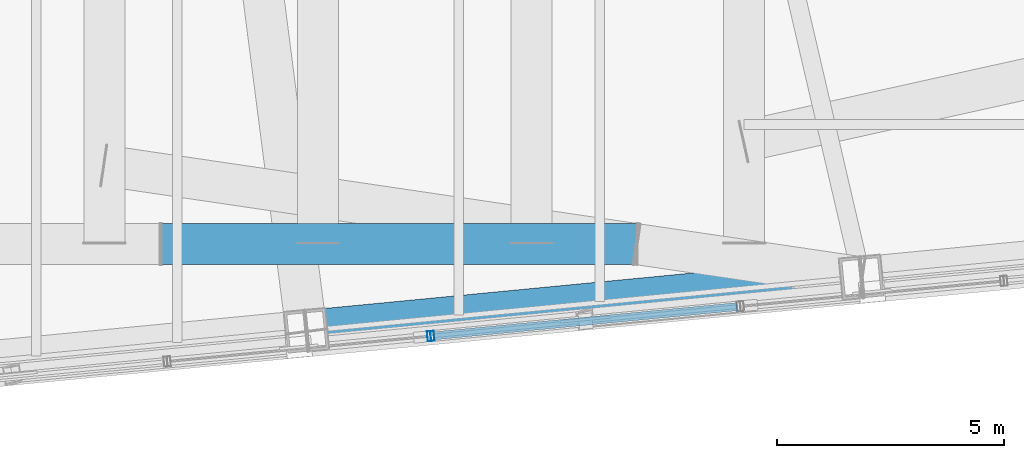
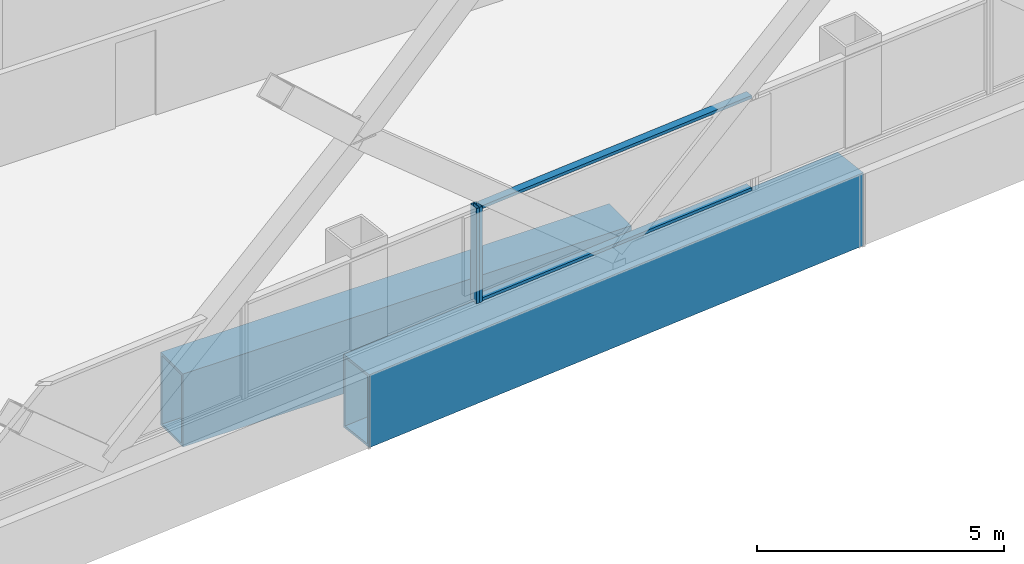
# One storey, part 8 of 42: 4 members, 2 beams, 2 elements without a shape of their own.
"""IFC4 building model written with IfcOpenShell, lengths in metres."""

import ifcopenshell
import ifcopenshell.guid

model = None  # the IFC model being written
_history = None  # IfcOwnerHistory: only IFC2X3 demands one
_inside = {}  # id of a spatial element -> (the spatial element, [elements in it])
_under = {}  # id of a project, library or spatial element -> (it, [spatial elements below it])
_declared = {}  # id of a project -> (the project, [libraries it declares])
_typed = {}  # id of a type object -> (the type object, [elements of that type])
_made_of = {}  # id of a material, layer set ... -> (it, [elements and type objects made of it])


def new_model(schema):
    """Start an empty IFC model of exactly this schema.

    Asked for "IFC4X3", IfcOpenShell would pick the latest addendum, in which some entities
    have other attributes; the version numbers below select the first issue.
    IFC2X3 requires an IfcOwnerHistory on every rooted entity: one is made here for all.
    """
    global model, _history
    if schema == "IFC4X3":
        model = ifcopenshell.file(schema_version=(4, 3, 0, 0))
    else:
        model = ifcopenshell.file(schema=schema)
    _inside.clear()
    _under.clear()
    _declared.clear()
    _typed.clear()
    _made_of.clear()
    _history = None
    if model.schema == "IFC2X3":
        org = make("IfcOrganization", Name="unknown")
        user = make(
            "IfcPersonAndOrganization",
            ThePerson=make("IfcPerson", FamilyName="unknown"),
            TheOrganization=org,
        )
        app = make(
            "IfcApplication",
            ApplicationDeveloper=org,
            Version="unknown",
            ApplicationFullName="unknown",
            ApplicationIdentifier="unknown",
        )
        _history = make(
            "IfcOwnerHistory",
            OwningUser=user,
            OwningApplication=app,
            ChangeAction="ADDED",
            CreationDate=0,
        )
    return model


def make(cls, **values):
    """One entity of the class cls with the attributes given. An attribute that is None is left unset."""
    return model.create_entity(
        cls, **{name: value for name, value in values.items() if value is not None}
    )


def rooted(cls, **values):
    """An entity with a GlobalId (a new one), such as an element, a storey or a relation."""
    return make(cls, GlobalId=ifcopenshell.guid.new(), OwnerHistory=_history, **values)


def si_unit(unit_type, name, prefix=None):
    """IfcSIUnit, for example si_unit("LENGTHUNIT", "METRE", prefix="MILLI")."""
    return make("IfcSIUnit", UnitType=unit_type, Prefix=prefix, Name=name)


def assignment(units):
    """IfcUnitAssignment: the units of a project."""
    return None if units is None else make("IfcUnitAssignment", Units=units)


def point(xyz):
    """IfcCartesianPoint."""
    return None if xyz is None else make("IfcCartesianPoint", Coordinates=xyz)


def direction(xyz):
    """IfcDirection."""
    return None if xyz is None else make("IfcDirection", DirectionRatios=xyz)


def frame(location, z_axis=None, x_axis=None):
    """IfcAxis2Placement3D, a coordinate frame: its origin and axes. An axis left out is left unset."""
    return make(
        "IfcAxis2Placement3D",
        Location=point(location),
        Axis=direction(z_axis),
        RefDirection=direction(x_axis),
    )


def frame_2d(location, x_axis=None):
    """IfcAxis2Placement2D, a coordinate frame in the plane: its origin and x axis."""
    return make(
        "IfcAxis2Placement2D", Location=point(location), RefDirection=direction(x_axis)
    )


def origin():
    """The frame at (0, 0, 0) with its axes left unset."""
    return frame((0.0, 0.0, 0.0))


def origin_2d():
    """The frame at (0, 0) in the plane with its x axis left unset."""
    return frame_2d((0.0, 0.0))


def place(relative_to, where):
    """IfcLocalPlacement: puts the frame where relative to a parent placement (None: the world)."""
    return make(
        "IfcLocalPlacement", PlacementRelTo=relative_to, RelativePlacement=where
    )


def context(
    kind, dimensions, precision=None, world=None, true_north=None, identifier=None
):
    """IfcGeometricRepresentationContext, for example the 3D "Model" context."""
    return make(
        "IfcGeometricRepresentationContext",
        ContextIdentifier=identifier,
        ContextType=kind,
        CoordinateSpaceDimension=dimensions,
        Precision=precision,
        WorldCoordinateSystem=world,
        TrueNorth=true_north,
    )


def subcontext(parent, identifier, kind, view, scale=None):
    """IfcGeometricRepresentationSubContext, for example "Body" below "Model"."""
    return make(
        "IfcGeometricRepresentationSubContext",
        ContextIdentifier=identifier,
        ContextType=kind,
        ParentContext=parent,
        TargetScale=scale,
        TargetView=view,
    )


def project(units=None, contexts=None):
    """IfcProject with its units and contexts."""
    return rooted(
        "IfcProject",
        Name="project",
        RepresentationContexts=contexts,
        UnitsInContext=assignment(units),
    )


def spatial(cls, under=None, at=None, **own):
    """A site, building, storey or space (cls), placed at a placement, below another one or the project."""
    s = rooted(cls, ObjectPlacement=at, **own)
    if under is not None:
        _under.setdefault(under.id(), (under, []))[1].append(s)
    return s


def profile(cls, at=None, kind="AREA", **sizes):
    """A parametric profile (cls). Its sizes go by their IFC names, for example OverallWidth=200.0."""
    return make(cls, ProfileType=kind, Position=at, **sizes)


def hollow_rectangle(**sizes):
    """IfcRectangleHollowProfileDef."""
    return profile("IfcRectangleHollowProfileDef", **sizes)


def extrude(swept, where, along, depth):
    """IfcExtrudedAreaSolid: the profile swept, set in the frame where, extruded along a direction by depth."""
    return make(
        "IfcExtrudedAreaSolid",
        SweptArea=swept,
        Position=where,
        ExtrudedDirection=direction(along),
        Depth=depth,
    )


def shape(context_of_items, identifier, shape_type, items):
    """IfcShapeRepresentation: the items that make up one representation, for example the "Body"."""
    return make(
        "IfcShapeRepresentation",
        ContextOfItems=context_of_items,
        RepresentationIdentifier=identifier,
        RepresentationType=shape_type,
        Items=items,
    )


def material(Name=None, Category=None):
    """IfcMaterial."""
    return make("IfcMaterial", Name=Name, Category=Category)


def layer(
    of_material, thickness, ventilated=None, Name=None, Category=None, Priority=None
):
    """IfcMaterialLayer: one layer of a wall or slab, of a material (None: an air gap)."""
    return make(
        "IfcMaterialLayer",
        Material=of_material,
        LayerThickness=thickness,
        IsVentilated=ventilated,
        Name=Name,
        Category=Category,
        Priority=Priority,
    )


def layer_set(layers, Name=None):
    """IfcMaterialLayerSet."""
    return make("IfcMaterialLayerSet", MaterialLayers=layers, LayerSetName=Name)


def material_profile(
    of_material, cross_section, Name=None, Category=None, Priority=None
):
    """IfcMaterialProfile: a cross section and its material."""
    return make(
        "IfcMaterialProfile",
        Name=Name,
        Material=of_material,
        Profile=cross_section,
        Priority=Priority,
        Category=Category,
    )


def profile_set(profiles, Name=None, composite=None):
    """IfcMaterialProfileSet."""
    return make(
        "IfcMaterialProfileSet",
        Name=Name,
        MaterialProfiles=profiles,
        CompositeProfile=composite,
    )


def made_of(thing, what):
    """Note that an element or type object is made of a material, layer set ...; save() writes the relation."""
    if what is not None:
        _made_of.setdefault(what.id(), (what, []))[1].append(thing)
    return thing


def type_object(cls, material=None, **own):
    """A type object (cls), such as IfcWallType, which elements share."""
    return made_of(rooted(cls, **own), material)


def element(
    cls,
    number,
    at=None,
    inside=None,
    cuts=None,
    type_object=None,
    material=None,
    context=None,
    identifier="Body",
    shape_type=None,
    held_by="IfcProductDefinitionShape",
    body=None,
    shapes=None,
    **own,
):
    """One element of the class cls, such as IfcWall. Its Tag is "e" and its number.

    at: its placement. inside: the storey or other place that contains it. cuts: it is an
    opening in that element (IfcRelVoidsElement). A single representation is given by context,
    identifier, shape_type and body (its items); several are given by shapes. held_by: the class
    of the entity that holds the representations. save() writes the other relations.
    """
    e = rooted(cls, Tag="e%d" % number, ObjectPlacement=at, **own)
    if body is not None:
        shapes = [shape(context, identifier, shape_type, body)]
    if shapes is not None:
        e.Representation = make(held_by, Representations=shapes)
    if inside is not None:
        _inside.setdefault(inside.id(), (inside, []))[1].append(e)
    if cuts is not None:
        rooted(
            "IfcRelVoidsElement", RelatingBuildingElement=cuts, RelatedOpeningElement=e
        )
    if type_object is not None:
        _typed.setdefault(type_object.id(), (type_object, []))[1].append(e)
    return made_of(e, material)


def aggregate(whole, parts):
    """IfcRelAggregates: a whole, such as a stair, and the parts it consists of."""
    return rooted("IfcRelAggregates", RelatingObject=whole, RelatedObjects=parts)


def save(model, path):
    """Write the relations noted so far, then the file.

    IfcRelAggregates (storeys below a building ...), IfcRelContainedInSpatialStructure (elements
    in a storey), IfcRelDefinesByType, IfcRelAssociatesMaterial and IfcRelDeclares: one each for
    every whole, place, type object, material and project.
    """
    for whole, parts in _under.values():
        aggregate(whole, parts)
    for where, things in _inside.values():
        rooted(
            "IfcRelContainedInSpatialStructure",
            RelatedElements=things,
            RelatingStructure=where,
        )
    for kind, things in _typed.values():
        rooted("IfcRelDefinesByType", RelatedObjects=things, RelatingType=kind)
    for what, things in _made_of.values():
        rooted("IfcRelAssociatesMaterial", RelatedObjects=things, RelatingMaterial=what)
    for by, libraries in _declared.values():
        rooted("IfcRelDeclares", RelatingContext=by, RelatedDefinitions=libraries)
    model.write(path)


model = new_model("IFC4")

# Units and contexts
model_context = context("Model", 3, precision=1e-05, world=origin(), true_north=direction((0.0, 1.0)))
body_context = subcontext(model_context, "Body", "Model", "MODEL_VIEW")
ifc_project = project(units=[si_unit("LENGTHUNIT", "METRE"), si_unit("AREAUNIT", "SQUARE_METRE"), si_unit("VOLUMEUNIT", "CUBIC_METRE"), si_unit("PLANEANGLEUNIT", "RADIAN"), si_unit("MASSUNIT", "GRAM", prefix="KILO")], contexts=[model_context])

# Site, building, storey
site_placement = place(None, origin())
site = spatial("IfcSite", under=ifc_project, at=site_placement, CompositionType="ELEMENT")
building_placement = place(site_placement, origin())
building = spatial("IfcBuilding", under=site, at=building_placement, Name="Qhalaya Broadcast Tower", CompositionType="ELEMENT")
storey_placement = place(building_placement, frame((0.0, 0.0, 69.449951171875)))
storey = spatial("IfcBuildingStorey", under=building, at=storey_placement, Name="L19", CompositionType="ELEMENT", Elevation=69.449951171875)

# Beams
ifc_material_1 = material(Name="Structural Steel ASTM A572 Grade 50", Category="steel")
ifc_material_profile_1 = material_profile(ifc_material_1, hollow_rectangle(XDim=0.89990234375, YDim=1.800048828125, WallThickness=0.06005859375, at=origin_2d()), Name="BOX 900x1800x60")
ifc_profile_set_1 = profile_set([ifc_material_profile_1], Name="Structural Steel ASTM A572 Grade 50")
beam_type = type_object("IfcBeamType", Name="Block Cantilever Transfer Box Girder TG1", PredefinedType="USERDEFINED", material=ifc_profile_set_1)
beam_1_placement = place(storey_placement, frame((-0.255126953125, -21.036865234375, -1.119873046875), z_axis=(0.99539563662, 0.095851586307, 0.0), x_axis=(-0.095851586307, 0.99539563662, 0.0)))
element("IfcBeam", 1, at=beam_1_placement, inside=storey, type_object=beam_type, Name="L19 TG1 L19-SPR-02", ObjectType="GIRDER", PredefinedType="USERDEFINED", context=body_context, shape_type="SweptSolid", body=[
    extrude(hollow_rectangle(XDim=0.89990234375, YDim=1.800048828125, WallThickness=0.06005859375, at=origin_2d()), origin(), (0.0, 0.0, 1.0), 12.2666015625),
])
beam_2_placement = place(storey_placement, frame((-3.46337890625, -19.1298828125, -1.119873046875), z_axis=(1.0, 0.0, 0.0), x_axis=(0.0, 1.0, 0.0)))
element("IfcBeam", 2, at=beam_2_placement, inside=storey, type_object=beam_type, Name="L19 TG1 L19-TGL-02", ObjectType="GIRDER", PredefinedType="USERDEFINED", context=body_context, shape_type="SweptSolid", body=[
    extrude(hollow_rectangle(XDim=0.89990234375, YDim=1.800048828125, WallThickness=0.06005859375, at=origin_2d()), origin(), (0.0, 0.0, 1.0), 10.466796875),
])

# Curtain wall, member
ifc_material_2 = material(Name="Solar-Control Low-E Triple Glazing", Category="glass")
ifc_layer_1 = layer(ifc_material_2, 0.219970703125, Name="Solar-Control Low-E Triple Glazing")
ifc_layer_set_1 = layer_set([ifc_layer_1], Name="Solar-Control Low-E Triple Glazing")
curtain_wall_type_1 = type_object("IfcCurtainWallType", Name="Even-Block 4-Storey Double-Module Curtain Wall CW-03", PredefinedType="NOTDEFINED", material=ifc_layer_set_1)
curtain_wall_1_placement = place(storey_placement, origin())
curtain_wall_1 = element("IfcCurtainWall", 3, at=curtain_wall_1_placement, inside=storey, type_object=curtain_wall_type_1, Name="L19 Unitised Curtain Wall L19-CW-S3", PredefinedType="NOTDEFINED")
ifc_material_3 = material(Name="Anodised Aluminium 6063-T6", Category="aluminium")
ifc_material_profile_2 = material_profile(ifc_material_3, hollow_rectangle(XDim=0.074951171875, YDim=0.219970703125, WallThickness=0.00390625, at=origin_2d()), Name="ALU-MUL 75x220x4")
ifc_profile_set_2 = profile_set([ifc_material_profile_2], Name="Anodised Aluminium 6063-T6")
member_type_1 = type_object("IfcMemberType", Name="Unitised Curtain-Wall Mullion M01", PredefinedType="MULLION", material=ifc_profile_set_2)
member_1_placement = place(storey_placement, frame((2.442626953125, -21.158935546875, 0.47998046875), z_axis=(0.0, 0.0, 1.0), x_axis=(0.995396371729, 0.095843952075, 0.0)))
member_1 = element("IfcMember", 4, at=member_1_placement, type_object=member_type_1, Name="CW-03 mullion 2", PredefinedType="MULLION", context=body_context, shape_type="SweptSolid", body=[
    extrude(hollow_rectangle(XDim=0.074951171875, YDim=0.219970703125, WallThickness=0.00390625, at=origin_2d()), origin(), (0.0, 0.0, 1.0), 2.35009765625),
])
aggregate(curtain_wall_1, [member_1])

# Curtain wall, members
ifc_material_4 = material(Name="Fired Architectural Terracotta", Category="masonry")
ifc_layer_2 = layer(ifc_material_4, 0.219970703125, Name="Fired Architectural Terracotta")
ifc_layer_set_2 = layer_set([ifc_layer_2], Name="Fired Architectural Terracotta")
curtain_wall_type_2 = type_object("IfcCurtainWallType", Name="Block-Cap Unitised Terracotta Spandrel Wall CW-07", PredefinedType="NOTDEFINED", material=ifc_layer_set_2)
curtain_wall_2_placement = place(storey_placement, origin())
curtain_wall_2 = element("IfcCurtainWall", 5, at=curtain_wall_2_placement, inside=storey, type_object=curtain_wall_type_2, Name="L19 Unitised Curtain Wall L19-CW-S4", PredefinedType="NOTDEFINED")
member_2_placement = place(storey_placement, frame((2.517333984375, -21.151611328125, 0.47998046875), z_axis=(0.0, 0.0, 1.0), x_axis=(0.995395768185, 0.095850220023, 0.0)))
member_2 = element("IfcMember", 6, at=member_2_placement, type_object=member_type_1, Name="CW-07 mullion 1", PredefinedType="MULLION", context=body_context, shape_type="SweptSolid", body=[
    extrude(hollow_rectangle(XDim=0.074951171875, YDim=0.219970703125, WallThickness=0.00390625, at=origin_2d()), origin(), (0.0, 0.0, 1.0), 2.35009765625),
])
ifc_material_profile_3 = material_profile(ifc_material_3, hollow_rectangle(XDim=0.074951171875, YDim=0.179931640625, WallThickness=0.00390625, at=origin_2d()), Name="ALU-TRN 75x180x4")
ifc_profile_set_3 = profile_set([ifc_material_profile_3], Name="Anodised Aluminium 6063-T6")
member_type_2 = type_object("IfcMemberType", Name="Unitised Curtain-Wall Transom T01", PredefinedType="USERDEFINED", material=ifc_profile_set_3)
member_3_placement = place(storey_placement, frame((2.5546875, -21.148193359375, 0.517578125), z_axis=(0.995395922443, 0.095848618063, 0.0), x_axis=(0.0, 0.0, 1.0)))
member_3 = element("IfcMember", 7, at=member_3_placement, type_object=member_type_2, Name="CW-07 transom 1.1", ObjectType="TRANSOM", PredefinedType="USERDEFINED", context=body_context, shape_type="SweptSolid", body=[
    extrude(hollow_rectangle(XDim=0.074951171875, YDim=0.179931640625, WallThickness=0.00390625, at=origin_2d()), origin(), (0.0, 0.0, 1.0), 6.69384765625),
])
member_4_placement = place(storey_placement, frame((2.5546875, -21.148193359375, 2.79248046875), z_axis=(0.995395922443, 0.095848618063, 0.0), x_axis=(0.0, 0.0, 1.0)))
member_4 = element("IfcMember", 8, at=member_4_placement, type_object=member_type_2, Name="CW-07 transom 1.2", ObjectType="TRANSOM", PredefinedType="USERDEFINED", context=body_context, shape_type="SweptSolid", body=[
    extrude(hollow_rectangle(XDim=0.074951171875, YDim=0.179931640625, WallThickness=0.00390625, at=origin_2d()), origin(), (0.0, 0.0, 1.0), 6.69384765625),
])
aggregate(curtain_wall_2, [member_2, member_3, member_4])

save(model, "model.ifc")
